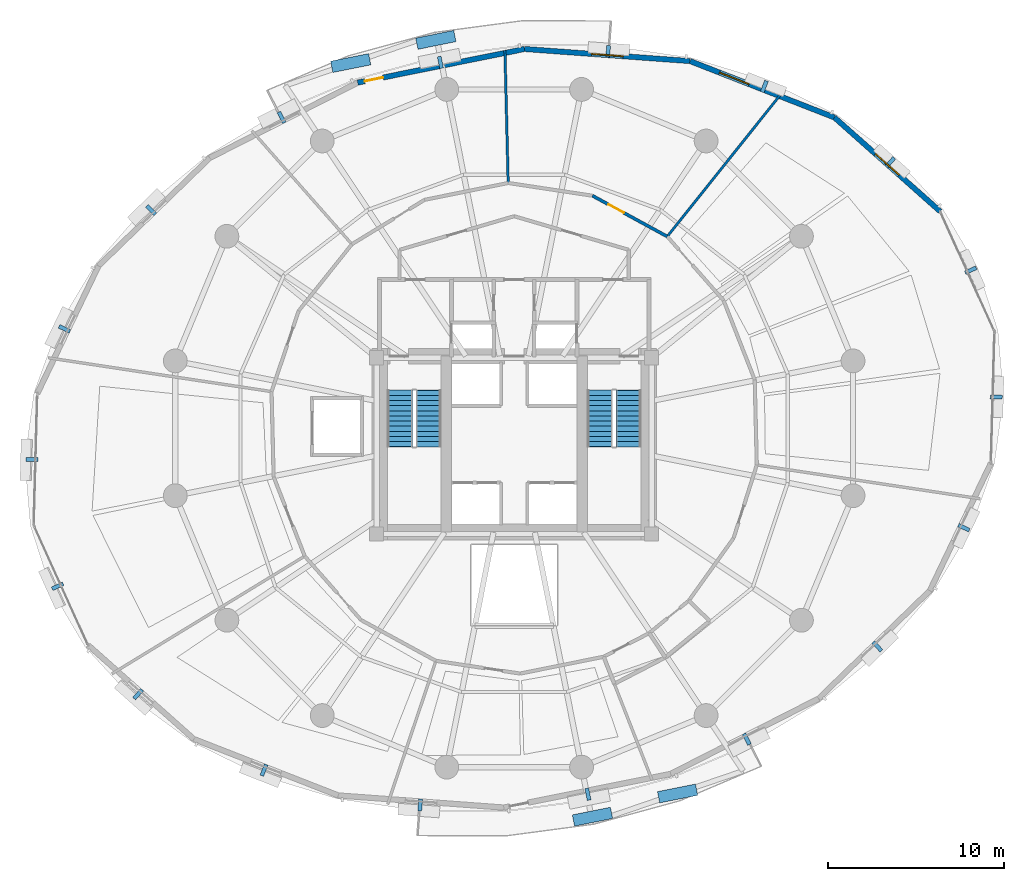
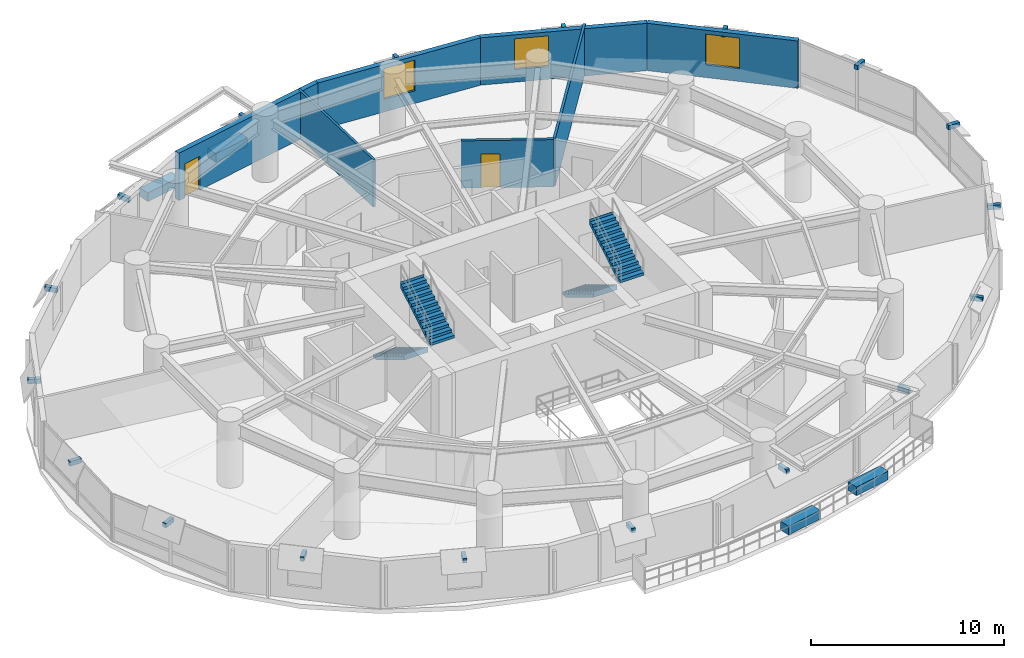
# One storey, part 14 of 17: 22 discrete accessories, 7 walls, 4 stair flights, 3 windows, 2 doors, 5 openings, 2 elements without a shape of their own.
"""IFC4 building model written with IfcOpenShell, lengths in metres."""

from ifc_helpers import new_model, si_unit, direction, frame, frame_2d, origin, origin_2d, place, context, subcontext, project, spatial, polyline, rectangle, outline, extrude, material, layer, layer_set, type_object, element, fill, aggregate, save


model = new_model("IFC4")

# Units and contexts
model_context = context("Model", 3, precision=1e-05, world=origin(), true_north=direction((0.0, 1.0)))
body_context = subcontext(model_context, "Body", "Model", "MODEL_VIEW")
ifc_project = project(units=[si_unit("LENGTHUNIT", "METRE"), si_unit("AREAUNIT", "SQUARE_METRE"), si_unit("VOLUMEUNIT", "CUBIC_METRE"), si_unit("PLANEANGLEUNIT", "RADIAN"), si_unit("MASSUNIT", "GRAM", prefix="KILO"), si_unit("THERMODYNAMICTEMPERATUREUNIT", "KELVIN"), si_unit("POWERUNIT", "WATT")], contexts=[model_context])

# Site, building, storey
site_placement = place(None, origin())
site = spatial("IfcSite", under=ifc_project, at=site_placement, CompositionType="ELEMENT")
building_placement = place(site_placement, origin())
building = spatial("IfcBuilding", under=site, at=building_placement, Name="Ocrelia Relay Tower", CompositionType="ELEMENT")
storey_placement = place(building_placement, frame((0.0, 0.0, 80.39990234375)))
storey = spatial("IfcBuildingStorey", under=building, at=storey_placement, Name="L18", CompositionType="ELEMENT", Elevation=80.39990234375)

# Wall, opening, door
ifc_material_1 = material(Name="Gypsum Fireboard Partition EI60", Category="gypsum")
ifc_layer_1 = layer(ifc_material_1, 0.179931640625, Name="Gypsum Fireboard Partition EI60")
ifc_layer_set_1 = layer_set([ifc_layer_1], Name="Gypsum Fireboard Partition EI60")
wall_type_1 = type_object("IfcWallType", Name="W-CORR-EI60-180", PredefinedType="PARTITIONING", material=ifc_layer_set_1)
wall_1_placement = place(storey_placement, frame((42.684326171875, 36.87890625, 0.0), z_axis=(0.0, 0.0, 1.0), x_axis=(-0.877995916426, 0.478668121708, 0.0)))
wall_1 = element("IfcWall", 1, at=wall_1_placement, inside=storey, type_object=wall_type_1, Name="L18 Equipment Staging Store Corridor Partition 1", PredefinedType="PARTITIONING", context=body_context, shape_type="SweptSolid", body=[
    extrude(rectangle(XDim=4.834228515625, YDim=0.179931640625, at=frame_2d((2.4169921875, 0.0))), origin(), (0.0, 0.0, 1.0), 3.0),
])
opening_1_placement = place(wall_1_placement, frame((2.80078125, 0.0, 0.0)))
opening_1 = element("IfcOpeningElement", 2, at=opening_1_placement, cuts=wall_1, Name="Opening D-RM100", PredefinedType="OPENING", context=body_context, shape_type="SweptSolid", body=[
    extrude(rectangle(XDim=1.0, YDim=2.14990234375, at=frame_2d((0.5, 1.074951171875))), frame((0.0, 0.10009765625, 0.0), z_axis=(0.0, -1.0, 0.0), x_axis=(1.0, 0.0, 0.0)), (0.0, 0.0, 1.0), 0.199951171875),
])
ifc_material_2 = material(Name="Acoustic oak veneer fire door", Category="wood")
door_type_1 = type_object("IfcDoorType", Name="DR-ROOM-FD60-1000", OperationType="NOTDEFINED", PredefinedType="DOOR", material=ifc_material_2)
door_1_placement = place(opening_1_placement, origin())
door_1 = element("IfcDoor", 3, at=door_1_placement, inside=storey, type_object=door_type_1, Name="L18 Equipment Staging Store Entrance Door", OperationType="SINGLE_SWING_RIGHT", OverallHeight=2.14990234375, OverallWidth=1.0, PredefinedType="DOOR", context=body_context, shape_type="SweptSolid", body=[
    extrude(rectangle(XDim=1.0, YDim=2.14990234375, at=frame_2d((0.5, 1.074951171875))), frame((0.0, 0.02490234375, 0.0), z_axis=(0.0, -1.0, 0.0), x_axis=(1.0, 0.0, 0.0)), (0.0, 0.0, 1.0), 0.050048828125),
])
fill(opening_1, door_1)

# Wall, opening, window
ifc_material_3 = material(Name="Precast concrete C40/50 with oxide terracotta", Category="masonry")
ifc_layer_2 = layer(ifc_material_3, 0.300048828125, Name="Precast concrete C40/50 with oxide terracotta")
ifc_layer_set_2 = layer_set([ifc_layer_2], Name="Precast concrete C40/50 with oxide terracotta")
wall_type_2 = type_object("IfcWallType", Name="W-EXT-TERR-300", PredefinedType="SOLIDWALL", material=ifc_layer_set_2)
wall_2_placement = place(storey_placement, frame((58.168212890625, 38.3046875, 0.0), z_axis=(0.0, 0.0, 1.0), x_axis=(-0.747787011146, 0.663938691418, 0.0)))
wall_2 = element("IfcWall", 4, at=wall_2_placement, inside=storey, type_object=wall_type_2, Name="L18 Oxide Terracotta Facade Wall 02", PredefinedType="SOLIDWALL", context=body_context, shape_type="SweptSolid", body=[
    extrude(rectangle(XDim=8.021728515625, YDim=0.300048828125, at=frame_2d((4.0107421875, 0.0))), origin(), (0.0, 0.0, 1.0), 3.0),
])
opening_2_placement = place(wall_2_placement, frame((3.111083984375, 0.0, 0.800048828125)))
opening_2 = element("IfcOpeningElement", 5, at=opening_2_placement, cuts=wall_2, Name="Opening W-02", PredefinedType="OPENING", context=body_context, shape_type="SweptSolid", body=[
    extrude(rectangle(XDim=1.800048828125, YDim=1.949951171875, at=frame_2d((0.89990234375, 0.97509765625))), frame((0.0, 0.16015625, 0.0), z_axis=(0.0, -1.0, 0.0), x_axis=(1.0, 0.0, 0.0)), (0.0, 0.0, 1.0), 0.320068359375),
])
ifc_material_4 = material(Name="Clear double-glazed low-E glass", Category="glass")
window_type = type_object("IfcWindowType", Name="WIN-Z1-1800x2100", PartitioningType="DOUBLE_PANEL_VERTICAL", PredefinedType="WINDOW", material=ifc_material_4)
window_1_placement = place(opening_2_placement, origin())
window_1 = element("IfcWindow", 6, at=window_1_placement, inside=storey, type_object=window_type, Name="L18 Facade Module Window 02", OverallHeight=1.949951171875, OverallWidth=1.800048828125, PartitioningType="SINGLE_PANEL", PredefinedType="WINDOW", context=body_context, shape_type="SweptSolid", body=[
    extrude(rectangle(XDim=1.800048828125, YDim=1.949951171875, at=frame_2d((0.89990234375, 0.97509765625))), frame((0.0, 0.030029296875, 0.0), z_axis=(0.0, -1.0, 0.0), x_axis=(1.0, 0.0, 0.0)), (0.0, 0.0, 1.0), 0.06005859375),
])
fill(opening_2, window_1)

wall_3_placement = place(storey_placement, frame((52.169677734375, 43.630615234375, 0.0), z_axis=(0.0, 0.0, 1.0), x_axis=(-0.931456467252, 0.363852785634, 0.0)))
wall_3 = element("IfcWall", 7, at=wall_3_placement, inside=storey, type_object=wall_type_2, Name="L18 Oxide Terracotta Facade Wall 03", PredefinedType="SOLIDWALL", context=body_context, shape_type="SweptSolid", body=[
    extrude(rectangle(XDim=8.792724609375, YDim=0.300048828125, at=frame_2d((4.396484375, 0.0))), origin(), (0.0, 0.0, 1.0), 3.0),
])
opening_3_placement = place(wall_3_placement, frame((5.201904296875, 0.0, 0.800048828125)))
opening_3 = element("IfcOpeningElement", 8, at=opening_3_placement, cuts=wall_3, Name="Opening W-02", PredefinedType="OPENING", context=body_context, shape_type="SweptSolid", body=[
    extrude(rectangle(XDim=1.800048828125, YDim=1.949951171875, at=frame_2d((0.89990234375, 0.97509765625))), frame((0.0, 0.16015625, 0.0), z_axis=(0.0, -1.0, 0.0), x_axis=(1.0, 0.0, 0.0)), (0.0, 0.0, 1.0), 0.320068359375),
])
window_2_placement = place(opening_3_placement, origin())
window_2 = element("IfcWindow", 9, at=window_2_placement, inside=storey, type_object=window_type, Name="L18 Facade Module Window 03", OverallHeight=1.949951171875, OverallWidth=1.800048828125, PartitioningType="SINGLE_PANEL", PredefinedType="WINDOW", context=body_context, shape_type="SweptSolid", body=[
    extrude(rectangle(XDim=1.800048828125, YDim=1.949951171875, at=frame_2d((0.89990234375, 0.97509765625))), frame((0.0, 0.030029296875, 0.0), z_axis=(0.0, -1.0, 0.0), x_axis=(1.0, 0.0, 0.0)), (0.0, 0.0, 1.0), 0.06005859375),
])
fill(opening_3, window_2)

wall_4_placement = place(storey_placement, frame((43.979736328125, 46.829833984375, 0.0), z_axis=(0.0, 0.0, 1.0), x_axis=(-0.997338230912, 0.0729140121, 0.0)))
wall_4 = element("IfcWall", 10, at=wall_4_placement, inside=storey, type_object=wall_type_2, Name="L18 Oxide Terracotta Facade Wall 04", PredefinedType="SOLIDWALL", context=body_context, shape_type="SweptSolid", body=[
    extrude(rectangle(XDim=9.4189453125, YDim=0.300048828125, at=frame_2d((4.70947265625, 0.0))), origin(), (0.0, 0.0, 1.0), 3.0),
])
opening_4_placement = place(wall_4_placement, frame((3.80908203125, 0.0, 0.800048828125)))
opening_4 = element("IfcOpeningElement", 11, at=opening_4_placement, cuts=wall_4, Name="Opening W-02", PredefinedType="OPENING", context=body_context, shape_type="SweptSolid", body=[
    extrude(rectangle(XDim=1.800048828125, YDim=1.949951171875, at=frame_2d((0.89990234375, 0.97509765625))), frame((0.0, 0.16015625, 0.0), z_axis=(0.0, -1.0, 0.0), x_axis=(1.0, 0.0, 0.0)), (0.0, 0.0, 1.0), 0.320068359375),
])
window_3_placement = place(opening_4_placement, origin())
window_3 = element("IfcWindow", 12, at=window_3_placement, inside=storey, type_object=window_type, Name="L18 Facade Module Window 04", OverallHeight=1.949951171875, OverallWidth=1.800048828125, PartitioningType="SINGLE_PANEL", PredefinedType="WINDOW", context=body_context, shape_type="SweptSolid", body=[
    extrude(rectangle(XDim=1.800048828125, YDim=1.949951171875, at=frame_2d((0.89990234375, 0.97509765625))), frame((0.0, 0.030029296875, 0.0), z_axis=(0.0, -1.0, 0.0), x_axis=(1.0, 0.0, 0.0)), (0.0, 0.0, 1.0), 0.06005859375),
])
fill(opening_4, window_3)

# Wall, opening, door
wall_5_placement = place(storey_placement, frame((34.5859375, 47.5166015625, 0.0), z_axis=(0.0, 0.0, 1.0), x_axis=(-0.980274098215, -0.197642840418, 0.0)))
wall_5 = element("IfcWall", 13, at=wall_5_placement, inside=storey, type_object=wall_type_2, Name="L18 Oxide Terracotta Facade Wall 05", PredefinedType="SOLIDWALL", context=body_context, shape_type="SweptSolid", body=[
    extrude(rectangle(XDim=9.65478515625, YDim=0.300048828125, at=frame_2d((4.827392578125, 0.0))), origin(), (0.0, 0.0, 1.0), 3.0),
])
opening_5_placement = place(wall_5_placement, frame((8.18994140625, 0.0, 0.0)))
opening_5 = element("IfcOpeningElement", 14, at=opening_5_placement, cuts=wall_5, Name="Opening DB-105", PredefinedType="OPENING", context=body_context, shape_type="SweptSolid", body=[
    extrude(rectangle(XDim=1.050048828125, YDim=2.14990234375, at=frame_2d((0.52490234375, 1.074951171875))), frame((0.0, 0.16015625, 0.0), z_axis=(0.0, -1.0, 0.0), x_axis=(1.0, 0.0, 0.0)), (0.0, 0.0, 1.0), 0.320068359375),
])
ifc_material_5 = material(Name="Thermally broken aluminium and clear glass", Category="aluminium")
door_type_2 = type_object("IfcDoorType", Name="DR-BALC-1050", OperationType="NOTDEFINED", PredefinedType="DOOR", material=ifc_material_5)
door_2_placement = place(opening_5_placement, origin())
door_2 = element("IfcDoor", 15, at=door_2_placement, inside=storey, type_object=door_type_2, Name="L18 Planted Loggia Balcony Door B1", OperationType="SINGLE_SWING_LEFT", OverallHeight=2.14990234375, OverallWidth=1.050048828125, PredefinedType="DOOR", context=body_context, shape_type="SweptSolid", body=[
    extrude(rectangle(XDim=1.050048828125, YDim=2.14990234375, at=frame_2d((0.52490234375, 1.074951171875))), frame((0.0, 0.02490234375, 0.0), z_axis=(0.0, -1.0, 0.0), x_axis=(1.0, 0.0, 0.0)), (0.0, 0.0, 1.0), 0.050048828125),
])
fill(opening_5, door_2)

# Walls
ifc_material_6 = material(Name="Acoustic Fireboard Partition EI60", Category="gypsum")
ifc_layer_3 = layer(ifc_material_6, 0.139892578125, Name="Acoustic Fireboard Partition EI60")
ifc_layer_set_3 = layer_set([ifc_layer_3], Name="Acoustic Fireboard Partition EI60")
wall_type_3 = type_object("IfcWallType", Name="W-PART-140", PredefinedType="PARTITIONING", material=ifc_layer_set_3)
wall_6_placement = place(storey_placement, frame((42.684326171875, 36.87890625, 0.0), z_axis=(0.0, 0.0, 1.0), x_axis=(0.623896084897, 0.781507309787, 0.0)))
element("IfcWall", 16, at=wall_6_placement, inside=storey, type_object=wall_type_3, Name="L18 Colocation Data Hall A Radial Partition", PredefinedType="PARTITIONING", context=body_context, shape_type="SweptSolid", body=[
    extrude(rectangle(XDim=10.55029296875, YDim=0.139892578125, at=frame_2d((5.275146484375, 0.0))), origin(), (0.0, 0.0, 1.0), 3.0),
])
wall_7_placement = place(storey_placement, frame((33.659912109375, 39.915771484375, 0.0), z_axis=(0.0, 0.0, 1.0), x_axis=(-0.02443368086, 0.999701453055, 0.0)))
element("IfcWall", 17, at=wall_7_placement, inside=storey, type_object=wall_type_3, Name="L18 Equipment Staging Store Radial Partition", PredefinedType="PARTITIONING", context=body_context, shape_type="SweptSolid", body=[
    extrude(rectangle(XDim=7.513916015625, YDim=0.139892578125, at=frame_2d((3.7568359375, 0.0))), origin(), (0.0, 0.0, 1.0), 3.0),
])

# Stair, stair flights
ifc_material_7 = material(Name="Concrete C50/60", Category="concrete")
stair_type = type_object("IfcStairType", Name="ST-DL-1420-R175", PredefinedType="HALF_TURN_STAIR", material=ifc_material_7)
stair_1_placement = place(storey_placement, origin())
stair_1 = element("IfcStair", 18, at=stair_1_placement, inside=storey, type_object=stair_type, Name="L18 West Core Exit Stair ST1", PredefinedType="HALF_TURN_STAIR")
stair_flight_type = type_object("IfcStairFlightType", Name="STF-DL-1420-R175", PredefinedType="STRAIGHT", material=ifc_material_7)
stair_flight_1_placement = place(storey_placement, frame((27.52001953125, 28.14990234375, 0.0), z_axis=(0.0, 0.0, 1.0), x_axis=(0.0, -1.0, 0.0)))
stair_flight_1 = element("IfcStairFlight", 19, at=stair_flight_1_placement, type_object=stair_flight_type, Name="ST1 flight 1", NumberOfRisers=12, NumberOfTreads=11, PredefinedType="STRAIGHT", RiserHeight=0.175, TreadLength=0.29, context=body_context, shape_type="SweptSolid", body=[
    extrude(outline(polyline([(-0.008056640625, 0.0), (-0.008056640625, 0.175048828125), (0.0, 0.175048828125), (0.2900390625, 0.175048828125), (0.2900390625, 0.35009765625), (0.580078125, 0.35009765625), (0.580078125, 0.52490234375), (0.8701171875, 0.52490234375), (0.8701171875, 0.699951171875), (1.159912109375, 0.699951171875), (1.159912109375, 0.875), (1.449951171875, 0.875), (1.449951171875, 1.050048828125), (1.739990234375, 1.050048828125), (1.739990234375, 1.22509765625), (2.030029296875, 1.22509765625), (2.030029296875, 1.39990234375), (2.320068359375, 1.39990234375), (2.320068359375, 1.574951171875), (2.610107421875, 1.574951171875), (2.610107421875, 1.75), (2.89990234375, 1.75), (2.89990234375, 1.925048828125), (3.18994140625, 1.925048828125), (3.18994140625, 2.10009765625), (3.197998046875, 2.10009765625), (3.197998046875, 1.75), (0.2900390625, 0.0), (-0.008056640625, 0.0)])), frame((0.0, 0.7099609375, 0.0), z_axis=(0.0, -1.0, 0.0), x_axis=(1.0, 0.0, 0.0)), (0.0, 0.0, 1.0), 1.419921875),
])
stair_flight_2_placement = place(storey_placement, frame((29.139892578125, 24.9599609375, 2.10009765625), z_axis=(0.0, 0.0, 1.0), x_axis=(0.0, 1.0, 0.0)))
stair_flight_2 = element("IfcStairFlight", 20, at=stair_flight_2_placement, type_object=stair_flight_type, Name="ST1 flight 2", NumberOfRisers=12, NumberOfTreads=11, PredefinedType="STRAIGHT", RiserHeight=0.175, TreadLength=0.29, context=body_context, shape_type="SweptSolid", body=[
    extrude(outline(polyline([(-0.008056640625, 0.0), (-0.008056640625, 0.175048828125), (0.0, 0.175048828125), (0.2900390625, 0.175048828125), (0.2900390625, 0.35009765625), (0.580078125, 0.35009765625), (0.580078125, 0.52490234375), (0.8701171875, 0.52490234375), (0.8701171875, 0.699951171875), (1.159912109375, 0.699951171875), (1.159912109375, 0.875), (1.449951171875, 0.875), (1.449951171875, 1.050048828125), (1.739990234375, 1.050048828125), (1.739990234375, 1.22509765625), (2.030029296875, 1.22509765625), (2.030029296875, 1.39990234375), (2.320068359375, 1.39990234375), (2.320068359375, 1.574951171875), (2.610107421875, 1.574951171875), (2.610107421875, 1.75), (2.89990234375, 1.75), (2.89990234375, 1.925048828125), (3.18994140625, 1.925048828125), (3.18994140625, 2.10009765625), (3.197998046875, 2.10009765625), (3.197998046875, 1.75), (0.2900390625, 0.0), (-0.008056640625, 0.0)])), frame((0.0, 0.7099609375, 0.0), z_axis=(0.0, -1.0, 0.0), x_axis=(1.0, 0.0, 0.0)), (0.0, 0.0, 1.0), 1.419921875),
])
aggregate(stair_1, [stair_flight_1, stair_flight_2])

stair_2_placement = place(storey_placement, origin())
stair_2 = element("IfcStair", 21, at=stair_2_placement, inside=storey, type_object=stair_type, Name="L18 East Core Exit Stair ST2", PredefinedType="HALF_TURN_STAIR")
stair_flight_3_placement = place(storey_placement, frame((38.8701171875, 28.14990234375, 0.0), z_axis=(0.0, 0.0, 1.0), x_axis=(0.0, -1.0, 0.0)))
stair_flight_3 = element("IfcStairFlight", 22, at=stair_flight_3_placement, type_object=stair_flight_type, Name="ST2 flight 1", NumberOfRisers=12, NumberOfTreads=11, PredefinedType="STRAIGHT", RiserHeight=0.175, TreadLength=0.29, context=body_context, shape_type="SweptSolid", body=[
    extrude(outline(polyline([(-0.008056640625, 0.0), (-0.008056640625, 0.175048828125), (0.0, 0.175048828125), (0.2900390625, 0.175048828125), (0.2900390625, 0.35009765625), (0.580078125, 0.35009765625), (0.580078125, 0.52490234375), (0.8701171875, 0.52490234375), (0.8701171875, 0.699951171875), (1.159912109375, 0.699951171875), (1.159912109375, 0.875), (1.449951171875, 0.875), (1.449951171875, 1.050048828125), (1.739990234375, 1.050048828125), (1.739990234375, 1.22509765625), (2.030029296875, 1.22509765625), (2.030029296875, 1.39990234375), (2.320068359375, 1.39990234375), (2.320068359375, 1.574951171875), (2.610107421875, 1.574951171875), (2.610107421875, 1.75), (2.89990234375, 1.75), (2.89990234375, 1.925048828125), (3.18994140625, 1.925048828125), (3.18994140625, 2.10009765625), (3.197998046875, 2.10009765625), (3.197998046875, 1.75), (0.2900390625, 0.0), (-0.008056640625, 0.0)])), frame((0.0, 0.7099609375, 0.0), z_axis=(0.0, -1.0, 0.0), x_axis=(1.0, 0.0, 0.0)), (0.0, 0.0, 1.0), 1.419921875),
])
stair_flight_4_placement = place(storey_placement, frame((40.489990234375, 24.9599609375, 2.10009765625), z_axis=(0.0, 0.0, 1.0), x_axis=(0.0, 1.0, 0.0)))
stair_flight_4 = element("IfcStairFlight", 23, at=stair_flight_4_placement, type_object=stair_flight_type, Name="ST2 flight 2", NumberOfRisers=12, NumberOfTreads=11, PredefinedType="STRAIGHT", RiserHeight=0.175, TreadLength=0.29, context=body_context, shape_type="SweptSolid", body=[
    extrude(outline(polyline([(-0.008056640625, 0.0), (-0.008056640625, 0.175048828125), (0.0, 0.175048828125), (0.2900390625, 0.175048828125), (0.2900390625, 0.35009765625), (0.580078125, 0.35009765625), (0.580078125, 0.52490234375), (0.8701171875, 0.52490234375), (0.8701171875, 0.699951171875), (1.159912109375, 0.699951171875), (1.159912109375, 0.875), (1.449951171875, 0.875), (1.449951171875, 1.050048828125), (1.739990234375, 1.050048828125), (1.739990234375, 1.22509765625), (2.030029296875, 1.22509765625), (2.030029296875, 1.39990234375), (2.320068359375, 1.39990234375), (2.320068359375, 1.574951171875), (2.610107421875, 1.574951171875), (2.610107421875, 1.75), (2.89990234375, 1.75), (2.89990234375, 1.925048828125), (3.18994140625, 1.925048828125), (3.18994140625, 2.10009765625), (3.197998046875, 2.10009765625), (3.197998046875, 1.75), (0.2900390625, 0.0), (-0.008056640625, 0.0)])), frame((0.0, 0.7099609375, 0.0), z_axis=(0.0, -1.0, 0.0), x_axis=(1.0, 0.0, 0.0)), (0.0, 0.0, 1.0), 1.419921875),
])
aggregate(stair_2, [stair_flight_3, stair_flight_4])

# Discrete accessories
ifc_material_8 = material(Name="Precast concrete C40/50 planter with highland greenery", Category="concrete")
discrete_accessory_type_1 = type_object("IfcDiscreteAccessoryType", Name="ACC-BALC-PLANTER", PredefinedType="USERDEFINED", material=ifc_material_8)
for number, where, z_axis, x_axis, name in (
    (24, (29.55712890625, 48.033935546875, 0.0), (0.0, 0.0, 1.0), (0.980269319699, 0.19766653955, 0.0), "L18 Balcony Terracotta Planter with Greenery B1"),
    (25, (24.728271484375, 46.718017578125, 0.0), (0.0, 0.0, 1.0), (0.980269319699, 0.19766653955, 0.0), "L18 Balcony Terracotta Planter B1-2"),
    (26, (38.44287109375, 3.966064453125, 0.0), (0.0, 0.0, 1.0), (-0.980269319699, -0.19766653955, 0.0), "L18 Balcony Terracotta Planter with Greenery B2"),
    (27, (43.271728515625, 5.281982421875, 0.0), (0.0, 0.0, 1.0), (-0.980269319699, -0.19766653955, 0.0), "L18 Balcony Terracotta Planter B2-2"),
):
    element("IfcDiscreteAccessory", number, at=place(storey_placement, frame(where, z_axis=z_axis, x_axis=x_axis)), inside=storey, type_object=discrete_accessory_type_1, Name=name, ObjectType="PLANTER", PredefinedType="USERDEFINED", context=body_context, shape_type="SweptSolid", body=[
        extrude(rectangle(XDim=2.199951171875, YDim=0.64990234375, at=origin_2d()), origin(), (0.0, 0.0, 1.0), 0.550048828125),
    ])
ifc_material_9 = material(Name="Steel S355", Category="steel")
discrete_accessory_type_2 = type_object("IfcDiscreteAccessoryType", Name="ACC-VISOR-BRACKET", PredefinedType="BRACKET", material=ifc_material_9)
for number, where, z_axis, x_axis, name in (
    (28, (59.898681640625, 34.96533203125, 2.7001953125), (0.0, 0.0, 1.0), (-0.41247110864, 0.910970682589, 0.0), "L18 Visor Mounting Bracket 01"),
    (29, (55.332275390625, 41.083251953125, 2.7001953125), (0.0, 0.0, 1.0), (-0.747787489768, 0.66393815235, 0.0), "L18 Visor Mounting Bracket 02"),
    (30, (48.19287109375, 45.3916015625, 2.7001953125), (0.0, 0.0, 1.0), (-0.931454217698, 0.363858544399, 0.0), "L18 Visor Mounting Bracket 03"),
    (31, (39.331298828125, 47.367431640625, 2.7001953125), (0.0, 0.0, 1.0), (-0.997337924798, 0.072918199093, 0.0), "L18 Visor Mounting Bracket 04"),
    (32, (29.814208984375, 46.758544921875, 2.7001953125), (0.0, 0.0, 1.0), (-0.980271929721, -0.197653595466, 0.0), "L18 Visor Mounting Bracket 05"),
    (33, (20.80517578125, 43.6318359375, 2.7001953125), (0.0, 0.0, 1.0), (-0.891148286272, -0.453712168533, 0.0), "L18 Visor Mounting Bracket 06"),
    (34, (13.401611328125, 38.37646484375, 2.7001953125), (0.0, 0.0, 1.0), (-0.717671796317, -0.696381499447, 0.0), "L18 Visor Mounting Bracket 07"),
    (35, (8.48974609375, 31.637939453125, 2.7001953125), (0.0, 0.0, 1.0), (-0.432075612139, -0.90183738301, 0.0), "L18 Visor Mounting Bracket 08"),
    (36, (6.650634765625, 24.228515625, 2.7001953125), (0.0, 0.0, 1.0), (-0.027222367212, -0.999629402691, 0.0), "L18 Visor Mounting Bracket 09"),
    (37, (8.101318359375, 17.03466796875, 2.7001953125), (0.0, 0.0, 1.0), (0.41247110864, -0.910970682589, 0.0), "L18 Visor Mounting Bracket 10"),
    (38, (12.667724609375, 10.916748046875, 2.7001953125), (0.0, 0.0, 1.0), (0.747787489768, -0.66393815235, 0.0), "L18 Visor Mounting Bracket 11"),
    (39, (19.80712890625, 6.6083984375, 2.7001953125), (0.0, 0.0, 1.0), (0.931454217698, -0.363858544399, 0.0), "L18 Visor Mounting Bracket 12"),
    (40, (28.668701171875, 4.632568359375, 2.7001953125), (0.0, 0.0, 1.0), (0.997337924798, -0.072918199093, 0.0), "L18 Visor Mounting Bracket 13"),
    (41, (38.185791015625, 5.241455078125, 2.7001953125), (0.0, 0.0, 1.0), (0.980271929721, 0.197653595466, 0.0), "L18 Visor Mounting Bracket 14"),
    (42, (47.19482421875, 8.3681640625, 2.7001953125), (0.0, 0.0, 1.0), (0.891148286272, 0.453712168533, 0.0), "L18 Visor Mounting Bracket 15"),
    (43, (54.598388671875, 13.62353515625, 2.7001953125), (0.0, 0.0, 1.0), (0.717671796317, 0.696381499447, 0.0), "L18 Visor Mounting Bracket 16"),
    (44, (59.51025390625, 20.362060546875, 2.7001953125), (0.0, 0.0, 1.0), (0.432075612139, 0.90183738301, 0.0), "L18 Visor Mounting Bracket 17"),
    (45, (61.349365234375, 27.771484375, 2.7001953125), (0.0, 0.0, 1.0), (0.027222367212, 0.999629402691, 0.0), "L18 Visor Mounting Bracket 18"),
):
    element("IfcDiscreteAccessory", number, at=place(storey_placement, frame(where, z_axis=z_axis, x_axis=x_axis)), inside=storey, type_object=discrete_accessory_type_2, Name=name, PredefinedType="BRACKET", context=body_context, shape_type="SweptSolid", body=[
        extrude(rectangle(XDim=0.219970703125, YDim=0.679931640625, at=origin_2d()), origin(), (0.0, 0.0, 1.0), 0.280029296875),
    ])

save(model, "model.ifc")
